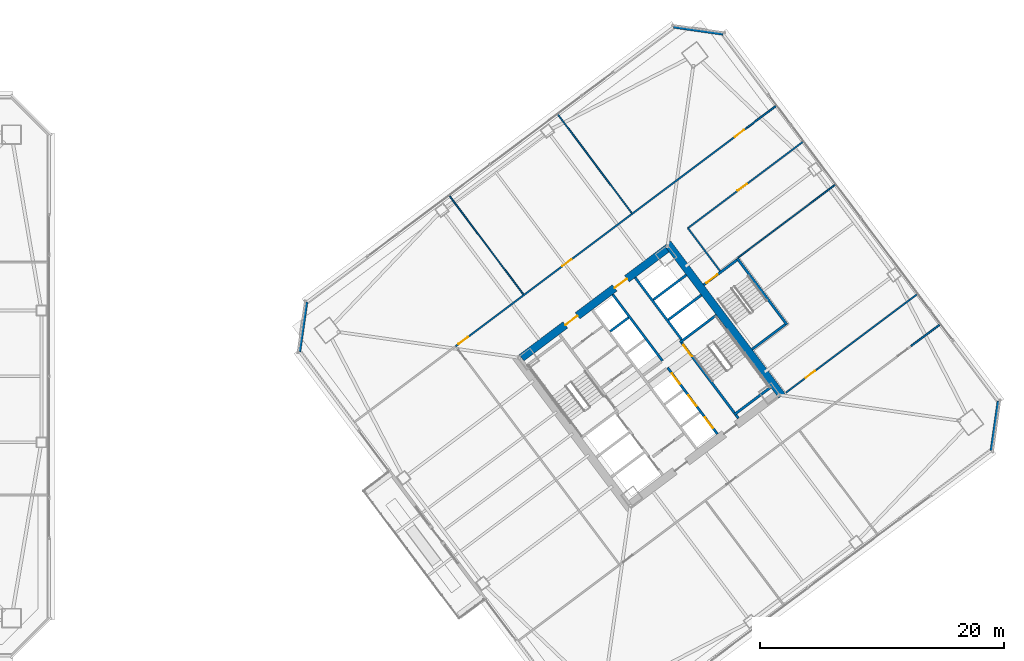
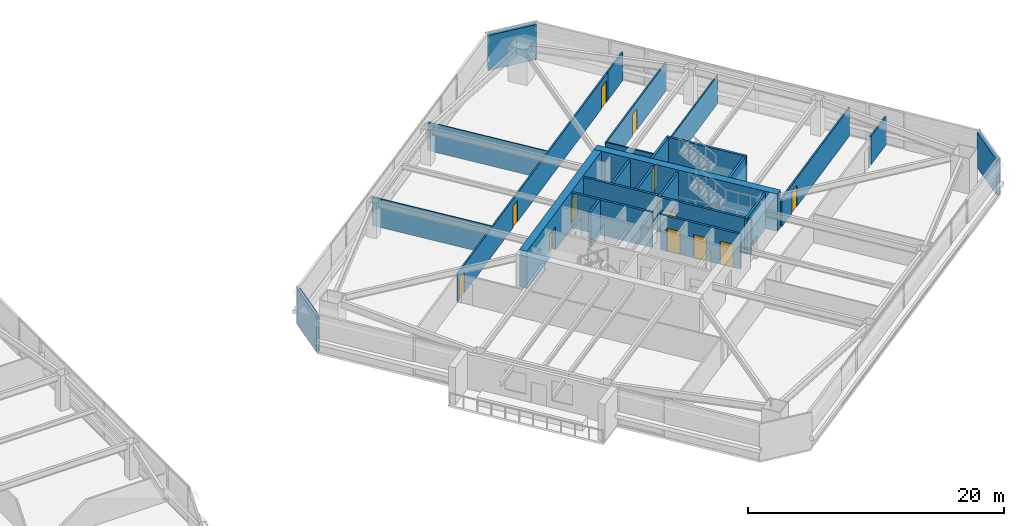
# One storey, part 39 of 48: 26 walls, 12 doors, 12 openings.
"""IFC4 building model written with IfcOpenShell, lengths in metres."""

from ifc_helpers import new_model, si_unit, direction, frame, frame_2d, origin, place, context, subcontext, project, spatial, rectangle, extrude, material, layer, layer_set, type_object, element, fill, save


model = new_model("IFC4")

# Units and contexts
model_context = context("Model", 3, precision=1e-05, world=origin(), true_north=direction((0.0, 1.0)))
body_context = subcontext(model_context, "Body", "Model", "MODEL_VIEW")
ifc_project = project(units=[si_unit("LENGTHUNIT", "METRE"), si_unit("AREAUNIT", "SQUARE_METRE"), si_unit("VOLUMEUNIT", "CUBIC_METRE"), si_unit("PLANEANGLEUNIT", "RADIAN"), si_unit("MASSUNIT", "GRAM", prefix="KILO")], contexts=[model_context])

# Site, building, storey
site_placement = place(None, origin())
site = spatial("IfcSite", under=ifc_project, at=site_placement, CompositionType="ELEMENT")
building_placement = place(site_placement, origin())
building = spatial("IfcBuilding", under=site, at=building_placement, Name="Tashvorn Skyway Center", CompositionType="ELEMENT")
storey_placement = place(building_placement, frame((0.0, 0.0, 56.550048828125)))
storey = spatial("IfcBuildingStorey", under=building, at=storey_placement, Name="L14", CompositionType="ELEMENT", Elevation=56.550048828125)

# Wall
ifc_material_1 = material(Name="Concrete C60/75", Category="concrete")
ifc_layer_1 = layer(ifc_material_1, 0.64990234375)
ifc_layer_set_1 = layer_set([ifc_layer_1], Name="Concrete C60/75")
wall_type_1 = type_object("IfcWallType", Name="WALL-CORE-650", PredefinedType="SHEAR", material=ifc_layer_set_1)
wall_1_placement = place(storey_placement, frame((115.52392578125, 42.89306640625, 0.0), z_axis=(0.0, 0.0, 1.0), x_axis=(0.600005007985, -0.799996243986, 0.0)))
element("IfcWall", 1, at=wall_1_placement, inside=storey, type_object=wall_type_1, Name="Tower 2 L14 East Core Shear Wall", PredefinedType="SHEAR", context=body_context, shape_type="SweptSolid", body=[
    extrude(rectangle(XDim=15.60009765625, YDim=0.64990234375, at=frame_2d((7.800048828125, 0.0))), origin(), (0.0, 0.0, 1.0), 3.550048828125),
])

# Wall, openings, doors
wall_2_placement = place(storey_placement, frame((103.571044921875, 33.52197265625, 0.0), z_axis=(0.0, 0.0, 1.0), x_axis=(0.799998028465, 0.600002628705, 0.0)))
wall_2 = element("IfcWall", 2, at=wall_2_placement, inside=storey, type_object=wall_type_1, Name="Tower 2 L14 North Core Shear Wall", PredefinedType="SHEAR", context=body_context, shape_type="SweptSolid", body=[
    extrude(rectangle(XDim=14.85986328125, YDim=0.64990234375, at=frame_2d((7.429931640625, 0.0))), origin(), (0.0, 0.0, 1.0), 3.550048828125),
])
opening_1_placement = place(wall_2_placement, frame((4.47998046875, 0.0, 0.0)))
opening_1 = element("IfcOpeningElement", 3, at=opening_1_placement, cuts=wall_2, Name="Opening D-FFL-1250", PredefinedType="OPENING", context=body_context, shape_type="SweptSolid", body=[
    extrude(rectangle(XDim=1.25, YDim=2.25, at=frame_2d((0.625, 1.125))), frame((0.0, 0.3349609375, 0.0), z_axis=(0.0, -1.0, 0.0), x_axis=(1.0, 0.0, 0.0)), (0.0, 0.0, 1.0), 0.669921875),
])
opening_2_placement = place(wall_2_placement, frame((9.530029296875, 0.0, 0.0)))
opening_2 = element("IfcOpeningElement", 4, at=opening_2_placement, cuts=wall_2, Name="Opening D-FFL-1250", PredefinedType="OPENING", context=body_context, shape_type="SweptSolid", body=[
    extrude(rectangle(XDim=1.25, YDim=2.25, at=frame_2d((0.625, 1.125))), frame((0.0, 0.3349609375, 0.0), z_axis=(0.0, -1.0, 0.0), x_axis=(1.0, 0.0, 0.0)), (0.0, 0.0, 1.0), 0.669921875),
])
ifc_material_2 = material(Name="Hollow galvanized steel fire door assembly", Category="steel")
door_type_1 = type_object("IfcDoorType", Name="DOOR-FFL-1250", OperationType="NOTDEFINED", PredefinedType="DOOR", material=ifc_material_2)
door_1_placement = place(opening_1_placement, origin())
door_1 = element("IfcDoor", 5, at=door_1_placement, inside=storey, type_object=door_type_1, Name="Tower 2 L14 Core North Service Lobby Door", OperationType="SINGLE_SWING_LEFT", OverallHeight=2.25, OverallWidth=1.25, PredefinedType="DOOR", context=body_context, shape_type="SweptSolid", body=[
    extrude(rectangle(XDim=1.25, YDim=2.25, at=frame_2d((0.625, 1.125))), frame((0.0, 0.02490234375, 0.0), z_axis=(0.0, -1.0, 0.0), x_axis=(1.0, 0.0, 0.0)), (0.0, 0.0, 1.0), 0.050048828125),
])
fill(opening_1, door_1)
door_2_placement = place(opening_2_placement, origin())
door_2 = element("IfcDoor", 6, at=door_2_placement, inside=storey, type_object=door_type_1, Name="Tower 2 L14 Core North Lift Lobby Door", OperationType="SINGLE_SWING_RIGHT", OverallHeight=2.25, OverallWidth=1.25, PredefinedType="DOOR", context=body_context, shape_type="SweptSolid", body=[
    extrude(rectangle(XDim=1.25, YDim=2.25, at=frame_2d((0.625, 1.125))), frame((0.0, 0.02490234375, 0.0), z_axis=(0.0, -1.0, 0.0), x_axis=(1.0, 0.0, 0.0)), (0.0, 0.0, 1.0), 0.050048828125),
])
fill(opening_2, door_2)

# Walls
ifc_material_3 = material(Name="Precast concrete C40/50", Category="concrete")
ifc_layer_2 = layer(ifc_material_3, 0.280029296875)
ifc_layer_set_2 = layer_set([ifc_layer_2], Name="Precast concrete C40/50")
wall_type_2 = type_object("IfcWallType", Name="WALL-EXT-280", PredefinedType="SOLIDWALL", material=ifc_layer_set_2)
for number, where, z_axis, x_axis, name in (
    (7, (85.360107421875, 34.02001953125, 0.0), (0.0, 0.0, 1.0), (0.14137968631, 0.989955445613, 0.0), "Tower 2 L14 NW Precast Chamfer Wall"),
    (8, (116.02001953125, 60.639892578125, 0.0), (0.0, 0.0, 1.0), (0.989955445613, -0.14137968631, 0.0), "Tower 2 L14 NE Precast Chamfer Wall"),
    (9, (142.639892578125, 29.97998046875, 0.0), (0.0, 0.0, 1.0), (-0.14137968631, -0.989955445613, 0.0), "Tower 2 L14 SE Precast Chamfer Wall"),
):
    element("IfcWall", number, at=place(storey_placement, frame(where, z_axis=z_axis, x_axis=x_axis)), inside=storey, type_object=wall_type_2, Name=name, PredefinedType="SOLIDWALL", context=body_context, shape_type="SweptSolid", body=[
        extrude(rectangle(XDim=4.101318359375, YDim=0.280029296875, at=frame_2d((2.05078125, 0.0))), origin(), (0.0, 0.0, 1.0), 3.349853515625),
    ])
ifc_material_4 = material(Name="Gypsum board on cold-formed steel stud framing", Category="steel")
ifc_layer_3 = layer(ifc_material_4, 0.110107421875)
ifc_layer_set_3 = layer_set([ifc_layer_3], Name="Gypsum board on cold-formed steel stud framing")
wall_type_3 = type_object("IfcWallType", Name="WALL-PART-110", PredefinedType="PARTITIONING", material=ifc_layer_set_3)
wall_3_placement = place(storey_placement, frame((103.7099609375, 38.719970703125, 0.0), z_axis=(0.0, 0.0, 1.0), x_axis=(-0.599992287679, 0.800005784183, 0.0)))
element("IfcWall", 10, at=wall_3_placement, inside=storey, type_object=wall_type_3, Name="Tower 2 L14 North Suite Partition 1", PredefinedType="PARTITIONING", context=body_context, shape_type="SweptSolid", body=[
    extrude(rectangle(XDim=10.1298828125, YDim=0.110107421875, at=frame_2d((5.06494140625, 0.0))), origin(), (0.0, 0.0, 1.0), 2.702880859375),
])
wall_4_placement = place(storey_placement, frame((112.590087890625, 45.3798828125, 0.0), z_axis=(0.0, 0.0, 1.0), x_axis=(-0.600007712154, 0.799994215827, 0.0)))
element("IfcWall", 11, at=wall_4_placement, inside=storey, type_object=wall_type_3, Name="Tower 2 L14 North Suite Partition 2", PredefinedType="PARTITIONING", context=body_context, shape_type="SweptSolid", body=[
    extrude(rectangle(XDim=10.130126953125, YDim=0.110107421875, at=frame_2d((5.06494140625, 0.0))), origin(), (0.0, 0.0, 1.0), 2.702880859375),
])
wall_5_placement = place(storey_placement, frame((129.303955078125, 47.72802734375, 0.0), z_axis=(0.0, 0.0, 1.0), x_axis=(-0.8, -0.6, 0.0)))
element("IfcWall", 12, at=wall_5_placement, inside=storey, type_object=wall_type_3, Name="Tower 2 L14 East Suite Partition 1", PredefinedType="PARTITIONING", context=body_context, shape_type="SweptSolid", body=[
    extrude(rectangle(XDim=10.0, YDim=0.110107421875, at=frame_2d((5.0, 0.0))), origin(), (0.0, 0.0, 1.0), 2.702880859375),
])
ifc_layer_4 = layer(ifc_material_4, 0.135009765625)
ifc_layer_set_4 = layer_set([ifc_layer_4], Name="Gypsum board on cold-formed steel stud framing")
wall_type_4 = type_object("IfcWallType", Name="WALL-PART-135", PredefinedType="PARTITIONING", material=ifc_layer_set_4)
wall_6_placement = place(storey_placement, frame((119.823974609375, 40.617919921875, 0.0), z_axis=(0.0, 0.0, 1.0), x_axis=(-0.599982243973, 0.800013316712, 0.0)))
element("IfcWall", 13, at=wall_6_placement, inside=storey, type_object=wall_type_4, Name="Tower 2 L14 Stair 3 Access Corridor Wall", PredefinedType="PARTITIONING", context=body_context, shape_type="SweptSolid", body=[
    extrude(rectangle(XDim=4.39990234375, YDim=0.135009765625, at=frame_2d((2.199951171875, 0.0))), origin(), (0.0, 0.0, 1.0), 2.702880859375),
])

# Wall, openings, doors
wall_7_placement = place(storey_placement, frame((98.174072265625, 34.468017578125, 0.0), z_axis=(0.0, 0.0, 1.0), x_axis=(0.800000982127, 0.599998690494, 0.0)))
wall_7 = element("IfcWall", 14, at=wall_7_placement, inside=storey, type_object=wall_type_4, Name="Tower 2 L14 North Suite Wall", PredefinedType="PARTITIONING", context=body_context, shape_type="SweptSolid", body=[
    extrude(rectangle(XDim=29.830078125, YDim=0.135009765625, at=frame_2d((14.9150390625, 0.0))), origin(), (0.0, 0.0, 1.0), 2.702880859375),
])
opening_3_placement = place(wall_7_placement, frame((0.300048828125, 0.0, 0.0)))
opening_3 = element("IfcOpeningElement", 15, at=opening_3_placement, cuts=wall_7, Name="Opening D-INT-950", PredefinedType="OPENING", context=body_context, shape_type="SweptSolid", body=[
    extrude(rectangle(XDim=0.949951171875, YDim=2.050048828125, at=frame_2d((0.47509765625, 1.02490234375))), frame((0.0, 0.077392578125, 0.0), z_axis=(0.0, -1.0, 0.0), x_axis=(1.0, 0.0, 0.0)), (0.0, 0.0, 1.0), 0.155029296875),
])
opening_4_placement = place(wall_7_placement, frame((10.9130859375, 0.0, 0.0)))
opening_4 = element("IfcOpeningElement", 16, at=opening_4_placement, cuts=wall_7, Name="Opening D-INT-950", PredefinedType="OPENING", context=body_context, shape_type="SweptSolid", body=[
    extrude(rectangle(XDim=0.949951171875, YDim=2.050048828125, at=frame_2d((0.47509765625, 1.02490234375))), frame((0.0, 0.077392578125, 0.0), z_axis=(0.0, -1.0, 0.0), x_axis=(1.0, 0.0, 0.0)), (0.0, 0.0, 1.0), 0.155029296875),
])
opening_5_placement = place(wall_7_placement, frame((28.580078125, 0.0, 0.0)))
opening_5 = element("IfcOpeningElement", 17, at=opening_5_placement, cuts=wall_7, Name="Opening D-INT-950", PredefinedType="OPENING", context=body_context, shape_type="SweptSolid", body=[
    extrude(rectangle(XDim=0.949951171875, YDim=2.050048828125, at=frame_2d((0.47509765625, 1.02490234375))), frame((0.0, 0.077392578125, 0.0), z_axis=(0.0, -1.0, 0.0), x_axis=(1.0, 0.0, 0.0)), (0.0, 0.0, 1.0), 0.155029296875),
])
ifc_material_5 = material(Name="Solid-core architectural oak veneer door")
door_type_2 = type_object("IfcDoorType", Name="DOOR-INT-950", OperationType="NOTDEFINED", PredefinedType="DOOR", material=ifc_material_5)
door_3_placement = place(opening_3_placement, origin())
door_3 = element("IfcDoor", 18, at=door_3_placement, inside=storey, type_object=door_type_2, Name="Tower 2 L14 Operations Control Room Door", OperationType="SINGLE_SWING_RIGHT", OverallHeight=2.050048828125, OverallWidth=0.949951171875, PredefinedType="DOOR", context=body_context, shape_type="SweptSolid", body=[
    extrude(rectangle(XDim=0.949951171875, YDim=2.050048828125, at=frame_2d((0.47509765625, 1.02490234375))), frame((0.0, 0.02490234375, 0.0), z_axis=(0.0, -1.0, 0.0), x_axis=(1.0, 0.0, 0.0)), (0.0, 0.0, 1.0), 0.050048828125),
])
fill(opening_3, door_3)
door_4_placement = place(opening_4_placement, origin())
door_4 = element("IfcDoor", 19, at=door_4_placement, inside=storey, type_object=door_type_2, Name="Tower 2 L14 Operations Control Room Door", OperationType="SINGLE_SWING_LEFT", OverallHeight=2.050048828125, OverallWidth=0.949951171875, PredefinedType="DOOR", context=body_context, shape_type="SweptSolid", body=[
    extrude(rectangle(XDim=0.949951171875, YDim=2.050048828125, at=frame_2d((0.47509765625, 1.02490234375))), frame((0.0, 0.02490234375, 0.0), z_axis=(0.0, -1.0, 0.0), x_axis=(1.0, 0.0, 0.0)), (0.0, 0.0, 1.0), 0.050048828125),
])
fill(opening_4, door_4)
door_5_placement = place(opening_5_placement, origin())
door_5 = element("IfcDoor", 20, at=door_5_placement, inside=storey, type_object=door_type_2, Name="Tower 2 L14 Catering Pantry Door", OperationType="SINGLE_SWING_RIGHT", OverallHeight=2.050048828125, OverallWidth=0.949951171875, PredefinedType="DOOR", context=body_context, shape_type="SweptSolid", body=[
    extrude(rectangle(XDim=0.949951171875, YDim=2.050048828125, at=frame_2d((0.47509765625, 1.02490234375))), frame((0.0, 0.02490234375, 0.0), z_axis=(0.0, -1.0, 0.0), x_axis=(1.0, 0.0, 0.0)), (0.0, 0.0, 1.0), 0.050048828125),
])
fill(opening_5, door_5)

# Walls
for number, where, z_axis, x_axis, name in (
    (21, (122.0380859375, 52.365966796875, 0.0), (0.0, 0.0, 1.0), (0.799961321723, 0.600051567574, 0.0), "Tower 2 L14 North-East Suite South Wall"),
    (22, (135.4599609375, 34.469970703125, 0.0), (0.0, 0.0, 1.0), (0.799990331366, 0.600012891296, 0.0), "Tower 2 L14 South-East Suite North Wall"),
):
    element("IfcWall", number, at=place(storey_placement, frame(where, z_axis=z_axis, x_axis=x_axis)), inside=storey, type_object=wall_type_4, Name=name, PredefinedType="PARTITIONING", context=body_context, shape_type="SweptSolid", body=[
        extrude(rectangle(XDim=3.030029296875, YDim=0.135009765625, at=frame_2d((1.51513671875, 0.0))), origin(), (0.0, 0.0, 1.0), 2.702880859375),
    ])

# Wall, opening, door
wall_8_placement = place(storey_placement, frame((126.6640625, 51.248046875, 0.0), z_axis=(0.0, 0.0, 1.0), x_axis=(-0.799995055373, -0.600006592779, 0.0)))
wall_8 = element("IfcWall", 23, at=wall_8_placement, inside=storey, type_object=wall_type_4, Name="Tower 2 L14 East Suite North Wall", PredefinedType="PARTITIONING", context=body_context, shape_type="SweptSolid", body=[
    extrude(rectangle(XDim=11.85009765625, YDim=0.135009765625, at=frame_2d((5.925048828125, 0.0))), origin(), (0.0, 0.0, 1.0), 2.702880859375),
])
opening_6_placement = place(wall_8_placement, frame((5.800048828125, 0.0, 0.0)))
opening_6 = element("IfcOpeningElement", 24, at=opening_6_placement, cuts=wall_8, Name="Opening D-INT-950", PredefinedType="OPENING", context=body_context, shape_type="SweptSolid", body=[
    extrude(rectangle(XDim=0.949951171875, YDim=2.050048828125, at=frame_2d((0.47509765625, 1.02490234375))), frame((0.0, 0.077392578125, 0.0), z_axis=(0.0, -1.0, 0.0), x_axis=(1.0, 0.0, 0.0)), (0.0, 0.0, 1.0), 0.155029296875),
])
door_6_placement = place(opening_6_placement, origin())
door_6 = element("IfcDoor", 25, at=door_6_placement, inside=storey, type_object=door_type_2, Name="Tower 2 L14 Wellness Clinic Door", OperationType="SINGLE_SWING_RIGHT", OverallHeight=2.050048828125, OverallWidth=0.949951171875, PredefinedType="DOOR", context=body_context, shape_type="SweptSolid", body=[
    extrude(rectangle(XDim=0.949951171875, YDim=2.050048828125, at=frame_2d((0.47509765625, 1.02490234375))), frame((0.0, 0.02490234375, 0.0), z_axis=(0.0, -1.0, 0.0), x_axis=(1.0, 0.0, 0.0)), (0.0, 0.0, 1.0), 0.050048828125),
])
fill(opening_6, door_6)

wall_9_placement = place(storey_placement, frame((125.2080078125, 30.656005859375, 0.0), z_axis=(0.0, 0.0, 1.0), x_axis=(0.799995666112, 0.600005778473, 0.0)))
wall_9 = element("IfcWall", 26, at=wall_9_placement, inside=storey, type_object=wall_type_4, Name="Tower 2 L14 East Suite South Wall", PredefinedType="PARTITIONING", context=body_context, shape_type="SweptSolid", body=[
    extrude(rectangle(XDim=13.52001953125, YDim=0.135009765625, at=frame_2d((6.760009765625, 0.0))), origin(), (0.0, 0.0, 1.0), 2.702880859375),
])
opening_7_placement = place(wall_9_placement, frame((2.044921875, 0.0, 0.0)))
opening_7 = element("IfcOpeningElement", 27, at=opening_7_placement, cuts=wall_9, Name="Opening D-INT-950", PredefinedType="OPENING", context=body_context, shape_type="SweptSolid", body=[
    extrude(rectangle(XDim=0.949951171875, YDim=2.050048828125, at=frame_2d((0.47509765625, 1.02490234375))), frame((0.0, 0.077392578125, 0.0), z_axis=(0.0, -1.0, 0.0), x_axis=(1.0, 0.0, 0.0)), (0.0, 0.0, 1.0), 0.155029296875),
])
door_7_placement = place(opening_7_placement, origin())
door_7 = element("IfcDoor", 28, at=door_7_placement, inside=storey, type_object=door_type_2, Name="Tower 2 L14 Public Restroom Door", OperationType="SINGLE_SWING_LEFT", OverallHeight=2.050048828125, OverallWidth=0.949951171875, PredefinedType="DOOR", context=body_context, shape_type="SweptSolid", body=[
    extrude(rectangle(XDim=0.949951171875, YDim=2.050048828125, at=frame_2d((0.47509765625, 1.02490234375))), frame((0.0, 0.02490234375, 0.0), z_axis=(0.0, -1.0, 0.0), x_axis=(1.0, 0.0, 0.0)), (0.0, 0.0, 1.0), 0.050048828125),
])
fill(opening_7, door_7)

# Walls
ifc_material_6 = material(Name="Concrete C40/50", Category="concrete")
ifc_layer_5 = layer(ifc_material_6, 0.199951171875)
ifc_layer_set_5 = layer_set([ifc_layer_5], Name="Concrete C40/50")
wall_type_5 = type_object("IfcWallType", Name="WALL-SHAFT-200", PredefinedType="SOLIDWALL", material=ifc_layer_set_5)
for number, where, z_axis, x_axis, name in (
    (29, (115.590087890625, 36.6298828125, 0.0), (0.0, 0.0, 1.0), (0.799973995579, 0.600034670996, 0.0), "Tower 2 L14 High-Rise Shaft Divider"),
    (30, (114.360107421875, 38.27001953125, 0.0), (0.0, 0.0, 1.0), (0.799973995579, 0.600034670996, 0.0), "Tower 2 L14 High-Rise Shaft Divider"),
):
    element("IfcWall", number, at=place(storey_placement, frame(where, z_axis=z_axis, x_axis=x_axis)), inside=storey, type_object=wall_type_5, Name=name, PredefinedType="SOLIDWALL", context=body_context, shape_type="SweptSolid", body=[
        extrude(rectangle(XDim=3.3798828125, YDim=0.199951171875, at=frame_2d((1.68994140625, 0.0))), origin(), (0.0, 0.0, 1.0), 3.349853515625),
    ])

# Wall, openings, doors
wall_10_placement = place(storey_placement, frame((119.610107421875, 27.27001953125, 0.0), z_axis=(0.0, 0.0, 1.0), x_axis=(-0.600011488909, 0.79999138319, 0.0)))
wall_10 = element("IfcWall", 31, at=wall_10_placement, inside=storey, type_object=wall_type_5, Name="Tower 2 L14 Low-Rise Core Wall", PredefinedType="SOLIDWALL", context=body_context, shape_type="SweptSolid", body=[
    extrude(rectangle(XDim=6.800048828125, YDim=0.199951171875, at=frame_2d((3.39990234375, 0.0))), origin(), (0.0, 0.0, 1.0), 3.349853515625),
])
opening_8_placement = place(wall_10_placement, frame((0.625, 0.0, 0.0)))
opening_8 = element("IfcOpeningElement", 32, at=opening_8_placement, cuts=wall_10, Name="Opening LD-LR-T2-1-L14", PredefinedType="OPENING", context=body_context, shape_type="SweptSolid", body=[
    extrude(rectangle(XDim=1.10009765625, YDim=2.199951171875, at=frame_2d((0.550048828125, 1.10009765625))), frame((0.0, 0.10986328125, 0.0), z_axis=(0.0, -1.0, 0.0), x_axis=(1.0, 0.0, 0.0)), (0.0, 0.0, 1.0), 0.219970703125),
])
opening_9_placement = place(wall_10_placement, frame((2.875, 0.0, 0.0)))
opening_9 = element("IfcOpeningElement", 33, at=opening_9_placement, cuts=wall_10, Name="Opening LD-LR-T2-2-L14", PredefinedType="OPENING", context=body_context, shape_type="SweptSolid", body=[
    extrude(rectangle(XDim=1.10009765625, YDim=2.199951171875, at=frame_2d((0.550048828125, 1.10009765625))), frame((0.0, 0.10986328125, 0.0), z_axis=(0.0, -1.0, 0.0), x_axis=(1.0, 0.0, 0.0)), (0.0, 0.0, 1.0), 0.219970703125),
])
opening_10_placement = place(wall_10_placement, frame((5.125, 0.0, 0.0)))
opening_10 = element("IfcOpeningElement", 34, at=opening_10_placement, cuts=wall_10, Name="Opening LD-LR-T2-3-L14", PredefinedType="OPENING", context=body_context, shape_type="SweptSolid", body=[
    extrude(rectangle(XDim=1.10009765625, YDim=2.199951171875, at=frame_2d((0.550048828125, 1.10009765625))), frame((0.0, 0.10986328125, 0.0), z_axis=(0.0, -1.0, 0.0), x_axis=(1.0, 0.0, 0.0)), (0.0, 0.0, 1.0), 0.219970703125),
])
ifc_material_7 = material(Name="Stainless steel landing door", Category="steel")
door_type_3 = type_object("IfcDoorType", Name="DOOR-LIFT-1100", OperationType="SLIDING_TO_LEFT", PredefinedType="DOOR", material=ifc_material_7)
door_8_placement = place(opening_8_placement, origin())
door_8 = element("IfcDoor", 35, at=door_8_placement, inside=storey, type_object=door_type_3, Name="Lift LR-T2-1 L14 Landing Door", OperationType="SLIDING_TO_LEFT", OverallHeight=2.199951171875, OverallWidth=1.10009765625, PredefinedType="DOOR", context=body_context, shape_type="SweptSolid", body=[
    extrude(rectangle(XDim=1.10009765625, YDim=2.199951171875, at=frame_2d((0.550048828125, 1.10009765625))), frame((0.0, 0.02490234375, 0.0), z_axis=(0.0, -1.0, 0.0), x_axis=(1.0, 0.0, 0.0)), (0.0, 0.0, 1.0), 0.050048828125),
])
fill(opening_8, door_8)
door_9_placement = place(opening_9_placement, origin())
door_9 = element("IfcDoor", 36, at=door_9_placement, inside=storey, type_object=door_type_3, Name="Lift LR-T2-2 L14 Landing Door", OperationType="SLIDING_TO_LEFT", OverallHeight=2.199951171875, OverallWidth=1.10009765625, PredefinedType="DOOR", context=body_context, shape_type="SweptSolid", body=[
    extrude(rectangle(XDim=1.10009765625, YDim=2.199951171875, at=frame_2d((0.550048828125, 1.10009765625))), frame((0.0, 0.02490234375, 0.0), z_axis=(0.0, -1.0, 0.0), x_axis=(1.0, 0.0, 0.0)), (0.0, 0.0, 1.0), 0.050048828125),
])
fill(opening_9, door_9)
door_10_placement = place(opening_10_placement, origin())
door_10 = element("IfcDoor", 37, at=door_10_placement, inside=storey, type_object=door_type_3, Name="Lift LR-T2-3 L14 Landing Door", OperationType="SLIDING_TO_LEFT", OverallHeight=2.199951171875, OverallWidth=1.10009765625, PredefinedType="DOOR", context=body_context, shape_type="SweptSolid", body=[
    extrude(rectangle(XDim=1.10009765625, YDim=2.199951171875, at=frame_2d((0.550048828125, 1.10009765625))), frame((0.0, 0.02490234375, 0.0), z_axis=(0.0, -1.0, 0.0), x_axis=(1.0, 0.0, 0.0)), (0.0, 0.0, 1.0), 0.050048828125),
])
fill(opening_10, door_10)

# Walls
wall_11_placement = place(storey_placement, frame((115.110107421875, 33.27001953125, 0.0), z_axis=(0.0, 0.0, 1.0), x_axis=(-0.600011488909, 0.79999138319, 0.0)))
element("IfcWall", 38, at=wall_11_placement, inside=storey, type_object=wall_type_5, Name="Tower 2 L14 Mid-Rise Core Wall", PredefinedType="SOLIDWALL", context=body_context, shape_type="SweptSolid", body=[
    extrude(rectangle(XDim=6.800048828125, YDim=0.199951171875, at=frame_2d((3.39990234375, 0.0))), origin(), (0.0, 0.0, 1.0), 3.349853515625),
])
wall_12_placement = place(storey_placement, frame((110.825927734375, 35.681884765625, 0.0), z_axis=(0.0, 0.0, 1.0), x_axis=(0.799984418148, 0.600020775241, 0.0)))
element("IfcWall", 39, at=wall_12_placement, inside=storey, type_object=wall_type_5, Name="Tower 2 L14 Mid-Rise Shaft Divider", PredefinedType="SOLIDWALL", context=body_context, shape_type="SweptSolid", body=[
    extrude(rectangle(XDim=1.880126953125, YDim=0.199951171875, at=frame_2d((0.93994140625, 0.0))), origin(), (0.0, 0.0, 1.0), 3.349853515625),
])

# Wall, opening, door
ifc_layer_6 = layer(ifc_material_6, 0.199951171875)
ifc_layer_set_6 = layer_set([ifc_layer_6], Name="Concrete C40/50")
wall_type_6 = type_object("IfcWallType", Name="WALL-STSHF-200", PredefinedType="SHEAR", material=ifc_layer_set_6)
wall_13_placement = place(storey_placement, frame((116.56005859375, 34.919921875, 0.0), z_axis=(0.0, 0.0, 1.0), x_axis=(0.600009827119, -0.799992629566, 0.0)))
wall_13 = element("IfcWall", 40, at=wall_13_placement, inside=storey, type_object=wall_type_6, Name="Tower 2 L14 Stair 2 Enclosure Wall", PredefinedType="SHEAR", context=body_context, shape_type="SweptSolid", body=[
    extrude(rectangle(XDim=7.949951171875, YDim=0.199951171875, at=frame_2d((3.97509765625, 0.0))), origin(), (0.0, 0.0, 1.0), 3.349853515625),
])
opening_11_placement = place(wall_13_placement, frame((0.449951171875, 0.0, 0.0)))
opening_11 = element("IfcOpeningElement", 41, at=opening_11_placement, cuts=wall_13, Name="Opening D-ST-1150", PredefinedType="OPENING", context=body_context, shape_type="SweptSolid", body=[
    extrude(rectangle(XDim=1.14990234375, YDim=2.199951171875, at=frame_2d((0.574951171875, 1.10009765625))), frame((0.0, 0.10986328125, 0.0), z_axis=(0.0, -1.0, 0.0), x_axis=(1.0, 0.0, 0.0)), (0.0, 0.0, 1.0), 0.219970703125),
])
door_type_4 = type_object("IfcDoorType", Name="DOOR-STAIR-1150", OperationType="NOTDEFINED", PredefinedType="DOOR", material=ifc_material_2)
door_11_placement = place(opening_11_placement, origin())
door_11 = element("IfcDoor", 42, at=door_11_placement, inside=storey, type_object=door_type_4, Name="Tower 2 L14 Exit Stair 2 Door", OperationType="SINGLE_SWING_RIGHT", OverallHeight=2.199951171875, OverallWidth=1.14990234375, PredefinedType="DOOR", context=body_context, shape_type="SweptSolid", body=[
    extrude(rectangle(XDim=1.14990234375, YDim=2.199951171875, at=frame_2d((0.574951171875, 1.10009765625))), frame((0.0, 0.02490234375, 0.0), z_axis=(0.0, -1.0, 0.0), x_axis=(1.0, 0.0, 0.0)), (0.0, 0.0, 1.0), 0.050048828125),
])
fill(opening_11, door_11)

# Walls
for number, where, z_axis, x_axis, name in (
    (43, (116.5400390625, 34.780029296875, 0.0), (0.0, 0.0, 1.0), (0.799984290658, 0.600020945218, 0.0), "Tower 2 L14 Stair 2 North Wall"),
    (44, (120.97998046875, 28.860107421875, 0.0), (0.0, 0.0, 1.0), (0.800039270442, 0.59994763584, 0.0), "Tower 2 L14 Stair 2 South Wall"),
):
    element("IfcWall", number, at=place(storey_placement, frame(where, z_axis=z_axis, x_axis=x_axis)), inside=storey, type_object=wall_type_6, Name=name, PredefinedType="SHEAR", context=body_context, shape_type="SweptSolid", body=[
        extrude(rectangle(XDim=3.72998046875, YDim=0.199951171875, at=frame_2d((1.864990234375, 0.0))), origin(), (0.0, 0.0, 1.0), 3.349853515625),
    ])
wall_14_placement = place(storey_placement, frame((112.8701171875, 40.090087890625, 0.0), z_axis=(0.0, 0.0, 1.0), x_axis=(0.599975393228, -0.800018454488, 0.0)))
element("IfcWall", 45, at=wall_14_placement, inside=storey, type_object=wall_type_6, Name="Tower 2 L14 High-Rise Lift Shaft Front Wall", PredefinedType="SHEAR", context=body_context, shape_type="SweptSolid", body=[
    extrude(rectangle(XDim=6.349853515625, YDim=0.199951171875, at=frame_2d((3.1748046875, 0.0))), origin(), (0.0, 0.0, 1.0), 3.349853515625),
])
wall_15_placement = place(storey_placement, frame((125.303955078125, 36.22802734375, 0.0), z_axis=(0.0, 0.0, 1.0), x_axis=(-0.59998851072, 0.800008616831, 0.0)))
element("IfcWall", 46, at=wall_15_placement, inside=storey, type_object=wall_type_6, Name="Tower 2 L14 Stair 3 Outer Wall", PredefinedType="SHEAR", context=body_context, shape_type="SweptSolid", body=[
    extrude(rectangle(XDim=6.7998046875, YDim=0.199951171875, at=frame_2d((3.39990234375, 0.0))), origin(), (0.0, 0.0, 1.0), 3.349853515625),
])

# Wall, opening, door
wall_16_placement = place(storey_placement, frame((121.2041015625, 41.528076171875, 0.0), z_axis=(0.0, 0.0, 1.0), x_axis=(-0.800017232136, -0.599977023131, 0.0)))
wall_16 = element("IfcWall", 47, at=wall_16_placement, inside=storey, type_object=wall_type_6, Name="Tower 2 L14 Stair 3 Enclosure Wall", PredefinedType="SHEAR", context=body_context, shape_type="SweptSolid", body=[
    extrude(rectangle(XDim=3.400146484375, YDim=0.199951171875, at=frame_2d((1.7001953125, 0.0))), origin(), (0.0, 0.0, 1.0), 3.349853515625),
])
opening_12_placement = place(wall_16_placement, frame((1.97509765625, 0.0, 0.0)))
opening_12 = element("IfcOpeningElement", 48, at=opening_12_placement, cuts=wall_16, Name="Opening D-ST-1150", PredefinedType="OPENING", context=body_context, shape_type="SweptSolid", body=[
    extrude(rectangle(XDim=1.14990234375, YDim=2.199951171875, at=frame_2d((0.574951171875, 1.10009765625))), frame((0.0, 0.10986328125, 0.0), z_axis=(0.0, -1.0, 0.0), x_axis=(1.0, 0.0, 0.0)), (0.0, 0.0, 1.0), 0.219970703125),
])
door_12_placement = place(opening_12_placement, origin())
door_12 = element("IfcDoor", 49, at=door_12_placement, inside=storey, type_object=door_type_4, Name="Tower 2 L14 Exit Stair 3 Door", OperationType="SINGLE_SWING_RIGHT", OverallHeight=2.199951171875, OverallWidth=1.14990234375, PredefinedType="DOOR", context=body_context, shape_type="SweptSolid", body=[
    extrude(rectangle(XDim=1.14990234375, YDim=2.199951171875, at=frame_2d((0.574951171875, 1.10009765625))), frame((0.0, 0.02490234375, 0.0), z_axis=(0.0, -1.0, 0.0), x_axis=(1.0, 0.0, 0.0)), (0.0, 0.0, 1.0), 0.050048828125),
])
fill(opening_12, door_12)

# Wall
wall_17_placement = place(storey_placement, frame((122.444091796875, 34.2080078125, 0.0), z_axis=(0.0, 0.0, 1.0), x_axis=(0.79999138319, 0.600011488909, 0.0)))
element("IfcWall", 50, at=wall_17_placement, inside=storey, type_object=wall_type_6, Name="Tower 2 L14 Stair 3 South Wall", PredefinedType="SHEAR", context=body_context, shape_type="SweptSolid", body=[
    extrude(rectangle(XDim=3.39990234375, YDim=0.199951171875, at=frame_2d((1.699951171875, 0.0))), origin(), (0.0, 0.0, 1.0), 3.349853515625),
])

save(model, "model.ifc")
